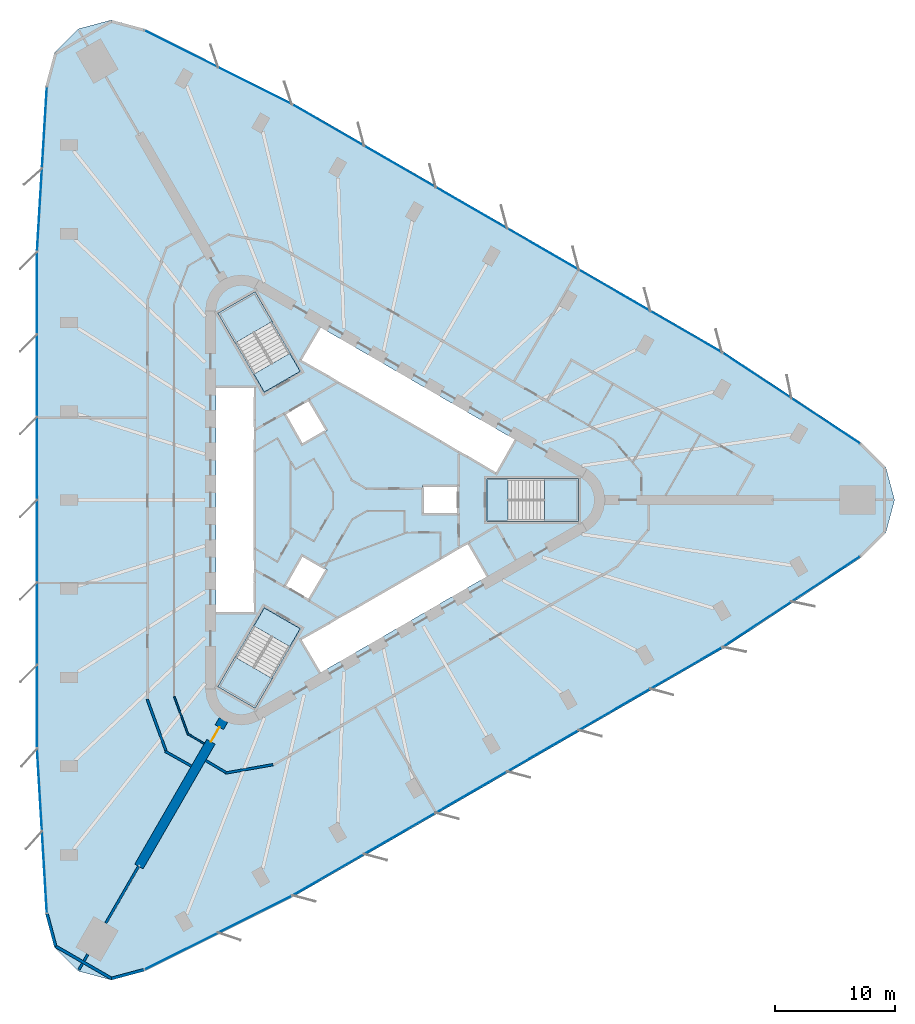
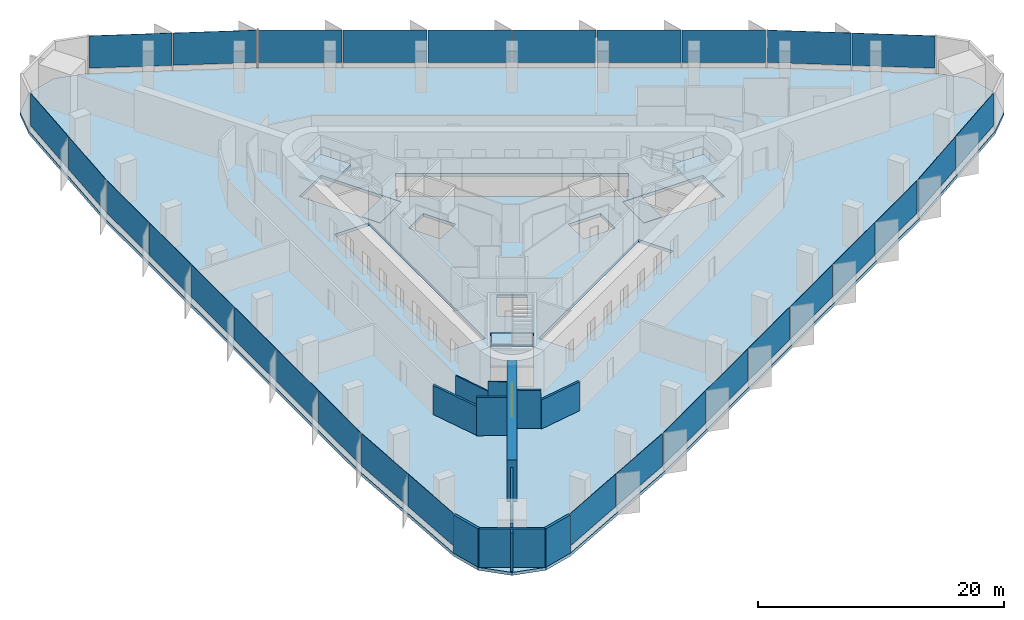
# One storey, part 8 of 14: 30 plates, 13 walls, 7 slabs, 1 door, 1 opening, 12 elements without a shape of their own.
"""IFC4 building model written with IfcOpenShell, lengths in metres."""

from ifc_helpers import new_model, si_unit, direction, frame, frame_2d, origin, origin_2d, place, context, subcontext, project, spatial, polyline, rectangle, outline, extrude, material, layer, layer_set, type_object, element, fill, aggregate, save


model = new_model("IFC4")

# Units and contexts
model_context = context("Model", 3, precision=1e-05, world=origin(), true_north=direction((0.0, 1.0)))
body_context = subcontext(model_context, "Body", "Model", "MODEL_VIEW")
ifc_project = project(units=[si_unit("LENGTHUNIT", "METRE"), si_unit("AREAUNIT", "SQUARE_METRE"), si_unit("VOLUMEUNIT", "CUBIC_METRE"), si_unit("PLANEANGLEUNIT", "RADIAN"), si_unit("MASSUNIT", "GRAM", prefix="KILO")], contexts=[model_context])

# Site, building, storey
site_placement = place(None, origin())
site = spatial("IfcSite", under=ifc_project, at=site_placement, CompositionType="ELEMENT")
building_placement = place(site_placement, origin())
building = spatial("IfcBuilding", under=site, at=building_placement, Name="Tanit Gate Tower", CompositionType="ELEMENT")
storey_placement = place(building_placement, frame((0.0, 0.0, 45.5)))
storey = spatial("IfcBuildingStorey", under=building, at=storey_placement, Name="L07", CompositionType="ELEMENT", Elevation=45.5)

# Slab
ifc_material_1 = material(Name="Concrete C35/45", Category="concrete")
ifc_layer_1 = layer(ifc_material_1, 0.300048828125)
ifc_layer_set_1 = layer_set([ifc_layer_1], Name="FLOOR SLAB 300 C35/45")
slab_type_1 = type_object("IfcSlabType", Name="FLOOR SLAB 300 C35/45", PredefinedType="FLOOR", material=ifc_layer_set_1)
slab_1_placement = place(storey_placement, frame((0.0, 0.0, -0.300048828125)))
element("IfcSlab", 1, at=slab_1_placement, inside=storey, type_object=slab_type_1, Name="FLOOR SLAB L07", PredefinedType="FLOOR", context=body_context, shape_type="SweptSolid", body=[
    extrude(outline(polyline([(42.5634765625, 4.75927734375), (44.574951171875, 2.747802734375), (45.311279296875, 0.0), (44.574951171875, -2.747802734375), (42.5634765625, -4.75927734375), (31.030517578125, -12.368896484375), (-4.80224609375, -33.06005859375), (-17.16015625, -39.24072265625), (-19.907958984375, -39.97705078125), (-22.655517578125, -39.24072265625), (-24.6669921875, -37.229248046875), (-25.4033203125, -34.4814453125), (-26.22705078125, -20.68896484375), (-26.229736328125, 20.68896484375), (-25.4033203125, 34.4814453125), (-24.6669921875, 37.229248046875), (-22.655517578125, 39.24072265625), (-19.907958984375, 39.97705078125), (-17.16015625, 39.24072265625), (-4.8037109375, 33.0576171875), (31.031982421875, 12.371337890625), (42.5634765625, 4.75927734375)]), holes=[polyline([(11.3701171875, 1.72998046875), (18.929931640625, 1.72998046875), (18.929931640625, -1.72998046875), (11.3701171875, -1.72998046875), (11.3701171875, 1.72998046875)]), polyline([(-4.208984375, 11.60986328125), (-2.583984375, 14.424560546875), (13.783935546875, 4.974609375), (12.158935546875, 2.159912109375), (-4.208984375, 11.60986328125)]), polyline([(-4.208984375, -11.60986328125), (9.82080078125, -3.510009765625), (11.44580078125, -6.324462890625), (-2.583984375, -14.424560546875), (-4.208984375, -11.60986328125)]), polyline([(9.0, 1.199951171875), (9.0, -1.199951171875), (6.0, -1.199951171875), (6.0, 1.199951171875), (9.0, 1.199951171875)]), polyline([(-5.539306640625, 7.194091796875), (-3.460693359375, 8.394287109375), (-1.960693359375, 5.796142578125), (-4.039306640625, 4.59619140625), (-5.539306640625, 7.194091796875)]), polyline([(-1.960693359375, -5.796142578125), (-3.460693359375, -8.394287109375), (-5.539306640625, -7.194091796875), (-4.039306640625, -4.59619140625), (-1.960693359375, -5.796142578125)]), polyline([(-10.963134765625, 15.52880859375), (-7.966796875, 17.2587890625), (-4.186767578125, 10.711669921875), (-7.18310546875, 8.981689453125), (-10.963134765625, 15.52880859375)]), polyline([(-4.186767578125, -10.711669921875), (-7.966796875, -17.2587890625), (-10.963134765625, -15.52880859375), (-7.18310546875, -8.981689453125), (-4.186767578125, -10.711669921875)]), polyline([(-11.199951171875, -9.449951171875), (-11.199951171875, 9.449951171875), (-7.949951171875, 9.449951171875), (-7.949951171875, -9.449951171875), (-11.199951171875, -9.449951171875)])]), origin(), (0.0, 0.0, 1.0), 0.300048828125),
])

# Curtain wall, plates
ifc_material_2 = material(Name="Aluminium bronze anodised and glass", Category="aluminium")
curtain_wall_type = type_object("IfcCurtainWallType", Name="Curtain wall typical low", PredefinedType="NOTDEFINED", material=ifc_material_2)
curtain_wall_1_placement = place(storey_placement, origin())
curtain_wall_1 = element("IfcCurtainWall", 2, at=curtain_wall_1_placement, inside=storey, type_object=curtain_wall_type, Name="Curtain wall L07 NE1", PredefinedType="NOTDEFINED")
ifc_material_3 = material(Name="Glass tinted", Category="glass")
ifc_layer_2 = layer(ifc_material_3, 0.031982421875)
ifc_layer_set_2 = layer_set([ifc_layer_2], Name="Glass panel 32 typical low")
plate_type = type_object("IfcPlateType", Name="Glass panel 32 typical low", PredefinedType="CURTAIN_PANEL", material=ifc_layer_set_2)
plate_1_placement = place(storey_placement, frame((39.591064453125, 6.57763671875, 0.60009765625), z_axis=(0.0, 0.0, 1.0), x_axis=(-0.834569178545, 0.550903155031, 0.0)))
plate_1 = element("IfcPlate", 3, at=plate_1_placement, type_object=plate_type, Name="Glass panel L07 NE1.1", PredefinedType="CURTAIN_PANEL", context=body_context, shape_type="SweptSolid", body=[
    extrude(rectangle(XDim=6.78076171875, YDim=0.031982421875, at=origin_2d()), origin(), (0.0, 0.0, 1.0), 3.199951171875),
])
plate_2_placement = place(storey_placement, frame((33.865234375, 10.357421875, 0.60009765625), z_axis=(0.0, 0.0, 1.0), x_axis=(-0.834569178545, 0.550903155031, 0.0)))
plate_2 = element("IfcPlate", 4, at=plate_2_placement, type_object=plate_type, Name="Glass panel L07 NE1.2", PredefinedType="CURTAIN_PANEL", context=body_context, shape_type="SweptSolid", body=[
    extrude(rectangle(XDim=6.78076171875, YDim=0.031982421875, at=origin_2d()), origin(), (0.0, 0.0, 1.0), 3.199951171875),
])
aggregate(curtain_wall_1, [plate_1, plate_2])

curtain_wall_2_placement = place(storey_placement, origin())
curtain_wall_2 = element("IfcCurtainWall", 5, at=curtain_wall_2_placement, inside=storey, type_object=curtain_wall_type, Name="Curtain wall L07 NE2", PredefinedType="NOTDEFINED")
plate_3_placement = place(storey_placement, frame((27.954345703125, 14.00927734375, 0.60009765625), z_axis=(0.0, 0.0, 1.0), x_axis=(-0.866060071089, 0.49993994966, 0.0)))
plate_3 = element("IfcPlate", 6, at=plate_3_placement, type_object=plate_type, Name="Glass panel L07 NE2.1", PredefinedType="CURTAIN_PANEL", context=body_context, shape_type="SweptSolid", body=[
    extrude(rectangle(XDim=6.8017578125, YDim=0.031982421875, at=origin_2d()), origin(), (0.0, 0.0, 1.0), 3.199951171875),
])
plate_4_placement = place(storey_placement, frame((21.994140625, 17.449951171875, 0.60009765625), z_axis=(0.0, 0.0, 1.0), x_axis=(-0.866060071089, 0.49993994966, 0.0)))
plate_4 = element("IfcPlate", 7, at=plate_4_placement, type_object=plate_type, Name="Glass panel L07 NE2.2", PredefinedType="CURTAIN_PANEL", context=body_context, shape_type="SweptSolid", body=[
    extrude(rectangle(XDim=6.8017578125, YDim=0.031982421875, at=origin_2d()), origin(), (0.0, 0.0, 1.0), 3.199951171875),
])
plate_5_placement = place(storey_placement, frame((16.0341796875, 20.890380859375, 0.60009765625), z_axis=(0.0, 0.0, 1.0), x_axis=(-0.866060071089, 0.49993994966, 0.0)))
plate_5 = element("IfcPlate", 8, at=plate_5_placement, type_object=plate_type, Name="Glass panel L07 NE2.3", PredefinedType="CURTAIN_PANEL", context=body_context, shape_type="SweptSolid", body=[
    extrude(rectangle(XDim=6.8017578125, YDim=0.031982421875, at=origin_2d()), origin(), (0.0, 0.0, 1.0), 3.199951171875),
])
plate_6_placement = place(storey_placement, frame((10.07421875, 24.330810546875, 0.60009765625), z_axis=(0.0, 0.0, 1.0), x_axis=(-0.866060071089, 0.49993994966, 0.0)))
plate_6 = element("IfcPlate", 9, at=plate_6_placement, type_object=plate_type, Name="Glass panel L07 NE2.4", PredefinedType="CURTAIN_PANEL", context=body_context, shape_type="SweptSolid", body=[
    extrude(rectangle(XDim=6.8017578125, YDim=0.031982421875, at=origin_2d()), origin(), (0.0, 0.0, 1.0), 3.199951171875),
])
plate_7_placement = place(storey_placement, frame((4.1142578125, 27.771240234375, 0.60009765625), z_axis=(0.0, 0.0, 1.0), x_axis=(-0.866060071089, 0.49993994966, 0.0)))
plate_7 = element("IfcPlate", 10, at=plate_7_placement, type_object=plate_type, Name="Glass panel L07 NE2.5", PredefinedType="CURTAIN_PANEL", context=body_context, shape_type="SweptSolid", body=[
    extrude(rectangle(XDim=6.8017578125, YDim=0.031982421875, at=origin_2d()), origin(), (0.0, 0.0, 1.0), 3.199951171875),
])
plate_8_placement = place(storey_placement, frame((-1.845703125, 31.211669921875, 0.60009765625), z_axis=(0.0, 0.0, 1.0), x_axis=(-0.866060071089, 0.49993994966, 0.0)))
plate_8 = element("IfcPlate", 11, at=plate_8_placement, type_object=plate_type, Name="Glass panel L07 NE2.6", PredefinedType="CURTAIN_PANEL", context=body_context, shape_type="SweptSolid", body=[
    extrude(rectangle(XDim=6.8017578125, YDim=0.031982421875, at=origin_2d()), origin(), (0.0, 0.0, 1.0), 3.199951171875),
])
aggregate(curtain_wall_2, [plate_3, plate_4, plate_5, plate_6, plate_7, plate_8])

curtain_wall_3_placement = place(storey_placement, origin())
curtain_wall_3 = element("IfcCurtainWall", 12, at=curtain_wall_3_placement, inside=storey, type_object=curtain_wall_type, Name="Curtain wall L07 NE3", PredefinedType="NOTDEFINED")
plate_9_placement = place(storey_placement, frame((-7.9638671875, 34.5048828125, 0.60009765625), z_axis=(0.0, 0.0, 1.0), x_axis=(-0.894287982019, 0.447491905196, 0.0)))
plate_9 = element("IfcPlate", 13, at=plate_9_placement, type_object=plate_type, Name="Glass panel L07 NE3.1", PredefinedType="CURTAIN_PANEL", context=body_context, shape_type="SweptSolid", body=[
    extrude(rectangle(XDim=6.78076171875, YDim=0.031982421875, at=origin_2d()), origin(), (0.0, 0.0, 1.0), 3.199951171875),
])
plate_10_placement = place(storey_placement, frame((-14.099365234375, 37.574951171875, 0.60009765625), z_axis=(0.0, 0.0, 1.0), x_axis=(-0.894287982019, 0.447491905196, 0.0)))
plate_10 = element("IfcPlate", 14, at=plate_10_placement, type_object=plate_type, Name="Glass panel L07 NE3.2", PredefinedType="CURTAIN_PANEL", context=body_context, shape_type="SweptSolid", body=[
    extrude(rectangle(XDim=6.78076171875, YDim=0.031982421875, at=origin_2d()), origin(), (0.0, 0.0, 1.0), 3.199951171875),
])
aggregate(curtain_wall_3, [plate_9, plate_10])

curtain_wall_4_placement = place(storey_placement, origin())
curtain_wall_4 = element("IfcCurtainWall", 15, at=curtain_wall_4_placement, inside=storey, type_object=curtain_wall_type, Name="Curtain wall L07 W1", PredefinedType="NOTDEFINED")
plate_11_placement = place(storey_placement, frame((-25.491943359375, 30.998046875, 0.60009765625), z_axis=(0.0, 0.0, 1.0), x_axis=(-0.059811538009, -0.998209687351, 0.0)))
plate_11 = element("IfcPlate", 16, at=plate_11_placement, type_object=plate_type, Name="Glass panel L07 W1.1", PredefinedType="CURTAIN_PANEL", context=body_context, shape_type="SweptSolid", body=[
    extrude(rectangle(XDim=6.78076171875, YDim=0.031982421875, at=origin_2d()), origin(), (0.0, 0.0, 1.0), 3.199951171875),
])
plate_12_placement = place(storey_placement, frame((-25.90234375, 24.1494140625, 0.60009765625), z_axis=(0.0, 0.0, 1.0), x_axis=(-0.059811538009, -0.998209687351, 0.0)))
plate_12 = element("IfcPlate", 17, at=plate_12_placement, type_object=plate_type, Name="Glass panel L07 W1.2", PredefinedType="CURTAIN_PANEL", context=body_context, shape_type="SweptSolid", body=[
    extrude(rectangle(XDim=6.78076171875, YDim=0.031982421875, at=origin_2d()), origin(), (0.0, 0.0, 1.0), 3.199951171875),
])
aggregate(curtain_wall_4, [plate_11, plate_12])

curtain_wall_5_placement = place(storey_placement, origin())
curtain_wall_5 = element("IfcCurtainWall", 18, at=curtain_wall_5_placement, inside=storey, type_object=curtain_wall_type, Name="Curtain wall L07 W2", PredefinedType="NOTDEFINED")
plate_13_placement = place(storey_placement, frame((-26.109619140625, 17.204345703125, 0.60009765625), z_axis=(0.0, 0.0, 1.0), x_axis=(6.9338772e-05, -0.999999997596, 0.0)))
plate_13 = element("IfcPlate", 19, at=plate_13_placement, type_object=plate_type, Name="Glass panel L07 W2.1", PredefinedType="CURTAIN_PANEL", context=body_context, shape_type="SweptSolid", body=[
    extrude(rectangle(XDim=6.8017578125, YDim=0.031982421875, at=origin_2d()), origin(), (0.0, 0.0, 1.0), 3.199951171875),
])
plate_14_placement = place(storey_placement, frame((-26.109130859375, 10.322509765625, 0.60009765625), z_axis=(0.0, 0.0, 1.0), x_axis=(6.9338772e-05, -0.999999997596, 0.0)))
plate_14 = element("IfcPlate", 20, at=plate_14_placement, type_object=plate_type, Name="Glass panel L07 W2.2", PredefinedType="CURTAIN_PANEL", context=body_context, shape_type="SweptSolid", body=[
    extrude(rectangle(XDim=6.8017578125, YDim=0.031982421875, at=origin_2d()), origin(), (0.0, 0.0, 1.0), 3.199951171875),
])
plate_15_placement = place(storey_placement, frame((-26.108642578125, 3.44091796875, 0.60009765625), z_axis=(0.0, 0.0, 1.0), x_axis=(6.9338772e-05, -0.999999997596, 0.0)))
plate_15 = element("IfcPlate", 21, at=plate_15_placement, type_object=plate_type, Name="Glass panel L07 W2.3", PredefinedType="CURTAIN_PANEL", context=body_context, shape_type="SweptSolid", body=[
    extrude(rectangle(XDim=6.8017578125, YDim=0.031982421875, at=origin_2d()), origin(), (0.0, 0.0, 1.0), 3.199951171875),
])
plate_16_placement = place(storey_placement, frame((-26.108154296875, -3.44091796875, 0.60009765625), z_axis=(0.0, 0.0, 1.0), x_axis=(6.9338772e-05, -0.999999997596, 0.0)))
plate_16 = element("IfcPlate", 22, at=plate_16_placement, type_object=plate_type, Name="Glass panel L07 W2.4", PredefinedType="CURTAIN_PANEL", context=body_context, shape_type="SweptSolid", body=[
    extrude(rectangle(XDim=6.8017578125, YDim=0.031982421875, at=origin_2d()), origin(), (0.0, 0.0, 1.0), 3.199951171875),
])
plate_17_placement = place(storey_placement, frame((-26.107666015625, -10.322509765625, 0.60009765625), z_axis=(0.0, 0.0, 1.0), x_axis=(6.9338772e-05, -0.999999997596, 0.0)))
plate_17 = element("IfcPlate", 23, at=plate_17_placement, type_object=plate_type, Name="Glass panel L07 W2.5", PredefinedType="CURTAIN_PANEL", context=body_context, shape_type="SweptSolid", body=[
    extrude(rectangle(XDim=6.8017578125, YDim=0.031982421875, at=origin_2d()), origin(), (0.0, 0.0, 1.0), 3.199951171875),
])
plate_18_placement = place(storey_placement, frame((-26.107177734375, -17.204345703125, 0.60009765625), z_axis=(0.0, 0.0, 1.0), x_axis=(6.9338772e-05, -0.999999997596, 0.0)))
plate_18 = element("IfcPlate", 24, at=plate_18_placement, type_object=plate_type, Name="Glass panel L07 W2.6", PredefinedType="CURTAIN_PANEL", context=body_context, shape_type="SweptSolid", body=[
    extrude(rectangle(XDim=6.8017578125, YDim=0.031982421875, at=origin_2d()), origin(), (0.0, 0.0, 1.0), 3.199951171875),
])
aggregate(curtain_wall_5, [plate_13, plate_14, plate_15, plate_16, plate_17, plate_18])

curtain_wall_6_placement = place(storey_placement, origin())
curtain_wall_6 = element("IfcCurtainWall", 25, at=curtain_wall_6_placement, inside=storey, type_object=curtain_wall_type, Name="Curtain wall L07 W3", PredefinedType="NOTDEFINED")
plate_19_placement = place(storey_placement, frame((-25.900146484375, -24.1494140625, 0.60009765625), z_axis=(0.0, 0.0, 1.0), x_axis=(0.059604633121, -0.998222063326, 0.0)))
plate_19 = element("IfcPlate", 26, at=plate_19_placement, type_object=plate_type, Name="Glass panel L07 W3.1", PredefinedType="CURTAIN_PANEL", context=body_context, shape_type="SweptSolid", body=[
    extrude(rectangle(XDim=6.78076171875, YDim=0.031982421875, at=origin_2d()), origin(), (0.0, 0.0, 1.0), 3.199951171875),
])
plate_20_placement = place(storey_placement, frame((-25.4912109375, -30.998046875, 0.60009765625), z_axis=(0.0, 0.0, 1.0), x_axis=(0.059604633121, -0.998222063326, 0.0)))
plate_20 = element("IfcPlate", 27, at=plate_20_placement, type_object=plate_type, Name="Glass panel L07 W3.2", PredefinedType="CURTAIN_PANEL", context=body_context, shape_type="SweptSolid", body=[
    extrude(rectangle(XDim=6.78076171875, YDim=0.031982421875, at=origin_2d()), origin(), (0.0, 0.0, 1.0), 3.199951171875),
])
aggregate(curtain_wall_6, [plate_19, plate_20])

curtain_wall_7_placement = place(storey_placement, origin())
curtain_wall_7 = element("IfcCurtainWall", 28, at=curtain_wall_7_placement, inside=storey, type_object=curtain_wall_type, Name="Curtain wall L07 SE1", PredefinedType="NOTDEFINED")
plate_21_placement = place(storey_placement, frame((-14.09912109375, -37.57568359375, 0.60009765625), z_axis=(0.0, 0.0, 1.0), x_axis=(0.894380716554, 0.44730653232, 0.0)))
plate_21 = element("IfcPlate", 29, at=plate_21_placement, type_object=plate_type, Name="Glass panel L07 SE1.1", PredefinedType="CURTAIN_PANEL", context=body_context, shape_type="SweptSolid", body=[
    extrude(rectangle(XDim=6.78076171875, YDim=0.031982421875, at=origin_2d()), origin(), (0.0, 0.0, 1.0), 3.199951171875),
])
plate_22_placement = place(storey_placement, frame((-7.962890625, -34.5068359375, 0.60009765625), z_axis=(0.0, 0.0, 1.0), x_axis=(0.894380716554, 0.44730653232, 0.0)))
plate_22 = element("IfcPlate", 30, at=plate_22_placement, type_object=plate_type, Name="Glass panel L07 SE1.2", PredefinedType="CURTAIN_PANEL", context=body_context, shape_type="SweptSolid", body=[
    extrude(rectangle(XDim=6.78076171875, YDim=0.031982421875, at=origin_2d()), origin(), (0.0, 0.0, 1.0), 3.199951171875),
])
aggregate(curtain_wall_7, [plate_21, plate_22])

curtain_wall_8_placement = place(storey_placement, origin())
curtain_wall_8 = element("IfcCurtainWall", 31, at=curtain_wall_8_placement, inside=storey, type_object=curtain_wall_type, Name="Curtain wall L07 SE2", PredefinedType="NOTDEFINED")
plate_23_placement = place(storey_placement, frame((-1.8447265625, -31.2138671875, 0.60009765625), z_axis=(0.0, 0.0, 1.0), x_axis=(0.865990732317, 0.500060047936, 0.0)))
plate_23 = element("IfcPlate", 32, at=plate_23_placement, type_object=plate_type, Name="Glass panel L07 SE2.1", PredefinedType="CURTAIN_PANEL", context=body_context, shape_type="SweptSolid", body=[
    extrude(rectangle(XDim=6.8017578125, YDim=0.031982421875, at=origin_2d()), origin(), (0.0, 0.0, 1.0), 3.199951171875),
])
plate_24_placement = place(storey_placement, frame((4.114990234375, -27.7724609375, 0.60009765625), z_axis=(0.0, 0.0, 1.0), x_axis=(0.865990732317, 0.500060047936, 0.0)))
plate_24 = element("IfcPlate", 33, at=plate_24_placement, type_object=plate_type, Name="Glass panel L07 SE2.2", PredefinedType="CURTAIN_PANEL", context=body_context, shape_type="SweptSolid", body=[
    extrude(rectangle(XDim=6.8017578125, YDim=0.031982421875, at=origin_2d()), origin(), (0.0, 0.0, 1.0), 3.199951171875),
])
plate_25_placement = place(storey_placement, frame((10.074462890625, -24.331298828125, 0.60009765625), z_axis=(0.0, 0.0, 1.0), x_axis=(0.865990732317, 0.500060047936, 0.0)))
plate_25 = element("IfcPlate", 34, at=plate_25_placement, type_object=plate_type, Name="Glass panel L07 SE2.3", PredefinedType="CURTAIN_PANEL", context=body_context, shape_type="SweptSolid", body=[
    extrude(rectangle(XDim=6.8017578125, YDim=0.031982421875, at=origin_2d()), origin(), (0.0, 0.0, 1.0), 3.199951171875),
])
plate_26_placement = place(storey_placement, frame((16.033935546875, -20.889892578125, 0.60009765625), z_axis=(0.0, 0.0, 1.0), x_axis=(0.865990732317, 0.500060047936, 0.0)))
plate_26 = element("IfcPlate", 35, at=plate_26_placement, type_object=plate_type, Name="Glass panel L07 SE2.4", PredefinedType="CURTAIN_PANEL", context=body_context, shape_type="SweptSolid", body=[
    extrude(rectangle(XDim=6.8017578125, YDim=0.031982421875, at=origin_2d()), origin(), (0.0, 0.0, 1.0), 3.199951171875),
])
plate_27_placement = place(storey_placement, frame((21.993408203125, -17.44873046875, 0.60009765625), z_axis=(0.0, 0.0, 1.0), x_axis=(0.865990732317, 0.500060047936, 0.0)))
plate_27 = element("IfcPlate", 36, at=plate_27_placement, type_object=plate_type, Name="Glass panel L07 SE2.5", PredefinedType="CURTAIN_PANEL", context=body_context, shape_type="SweptSolid", body=[
    extrude(rectangle(XDim=6.8017578125, YDim=0.031982421875, at=origin_2d()), origin(), (0.0, 0.0, 1.0), 3.199951171875),
])
plate_28_placement = place(storey_placement, frame((27.953125, -14.00732421875, 0.60009765625), z_axis=(0.0, 0.0, 1.0), x_axis=(0.865990732317, 0.500060047936, 0.0)))
plate_28 = element("IfcPlate", 37, at=plate_28_placement, type_object=plate_type, Name="Glass panel L07 SE2.6", PredefinedType="CURTAIN_PANEL", context=body_context, shape_type="SweptSolid", body=[
    extrude(rectangle(XDim=6.8017578125, YDim=0.031982421875, at=origin_2d()), origin(), (0.0, 0.0, 1.0), 3.199951171875),
])
aggregate(curtain_wall_8, [plate_23, plate_24, plate_25, plate_26, plate_27, plate_28])

curtain_wall_9_placement = place(storey_placement, origin())
curtain_wall_9 = element("IfcCurtainWall", 38, at=curtain_wall_9_placement, inside=storey, type_object=curtain_wall_type, Name="Curtain wall L07 SE3", PredefinedType="NOTDEFINED")
plate_29_placement = place(storey_placement, frame((33.864013671875, -10.35546875, 0.60009765625), z_axis=(0.0, 0.0, 1.0), x_axis=(0.834683348898, 0.550730158129, 0.0)))
plate_29 = element("IfcPlate", 39, at=plate_29_placement, type_object=plate_type, Name="Glass panel L07 SE3.1", PredefinedType="CURTAIN_PANEL", context=body_context, shape_type="SweptSolid", body=[
    extrude(rectangle(XDim=6.78076171875, YDim=0.031982421875, at=origin_2d()), origin(), (0.0, 0.0, 1.0), 3.199951171875),
])
plate_30_placement = place(storey_placement, frame((39.590576171875, -6.5771484375, 0.60009765625), z_axis=(0.0, 0.0, 1.0), x_axis=(0.834683348898, 0.550730158129, 0.0)))
plate_30 = element("IfcPlate", 40, at=plate_30_placement, type_object=plate_type, Name="Glass panel L07 SE3.2", PredefinedType="CURTAIN_PANEL", context=body_context, shape_type="SweptSolid", body=[
    extrude(rectangle(XDim=6.78076171875, YDim=0.031982421875, at=origin_2d()), origin(), (0.0, 0.0, 1.0), 3.199951171875),
])
aggregate(curtain_wall_9, [plate_29, plate_30])

# Stair, slab
ifc_material_4 = material(Name="Concrete C40/50", Category="concrete")
stair_type = type_object("IfcStairType", Name="INT-STAIR-EXIT", PredefinedType="HALF_TURN_STAIR", material=ifc_material_4)
stair_1_placement = place(storey_placement, origin())
stair_1 = element("IfcStair", 41, at=stair_1_placement, inside=storey, type_object=stair_type, Name="L07 STAIR S1", PredefinedType="HALF_TURN_STAIR")
ifc_material_5 = material(Name="Concrete C40/50", Category="concrete")
ifc_layer_3 = layer(ifc_material_5, 0.199951171875)
ifc_layer_set_3 = layer_set([ifc_layer_3], Name="INT-STAIR-LANDING")
slab_type_2 = type_object("IfcSlabType", Name="INT-STAIR-LANDING", PredefinedType="LANDING", material=ifc_layer_set_3)
slab_2_placement = place(storey_placement, frame((0.0, 0.0, 1.85009765625)))
slab_2 = element("IfcSlab", 42, at=slab_2_placement, type_object=slab_type_2, Name="S1 landing 1", PredefinedType="LANDING", context=body_context, shape_type="SweptSolid", body=[
    extrude(outline(polyline([(16.135986328125, -1.800048828125), (19.0, -1.800048828125), (19.0, 1.800048828125), (16.135986328125, 1.800048828125), (16.135986328125, -1.800048828125)])), origin(), (0.0, 0.0, 1.0), 0.199951171875),
])
aggregate(stair_1, [slab_2])

# Slab
slab_3_placement = place(storey_placement, frame((0.0, 0.0, -0.199951171875)))
element("IfcSlab", 43, at=slab_3_placement, inside=storey, type_object=slab_type_2, Name="S1 floor landing", PredefinedType="LANDING", context=body_context, shape_type="SweptSolid", body=[
    extrude(outline(polyline([(11.3798828125, -1.719970703125), (13.10498046875, -1.719970703125), (13.10498046875, 1.719970703125), (11.3798828125, 1.719970703125), (11.3798828125, -1.719970703125)])), origin(), (0.0, 0.0, 1.0), 0.199951171875),
])

# Stair, slab
stair_2_placement = place(storey_placement, origin())
stair_2 = element("IfcStair", 44, at=stair_2_placement, inside=storey, type_object=stair_type, Name="L07 STAIR S2", PredefinedType="HALF_TURN_STAIR")
slab_4_placement = place(storey_placement, frame((0.0, 0.0, 1.85009765625)))
slab_4 = element("IfcSlab", 45, at=slab_4_placement, type_object=slab_type_2, Name="S2 landing 1", PredefinedType="LANDING", context=body_context, shape_type="SweptSolid", body=[
    extrude(outline(polyline([(-6.5078125, 14.871826171875), (-7.941162109375, 17.3544921875), (-11.058837890625, 15.554443359375), (-9.62548828125, 13.07177734375), (-6.5078125, 14.871826171875)])), origin(), (0.0, 0.0, 1.0), 0.199951171875),
])
aggregate(stair_2, [slab_4])

# Slab
slab_5_placement = place(storey_placement, frame((0.0, 0.0, -0.199951171875)))
element("IfcSlab", 46, at=slab_5_placement, inside=storey, type_object=slab_type_2, Name="S2 floor landing", PredefinedType="LANDING", context=body_context, shape_type="SweptSolid", body=[
    extrude(outline(polyline([(-4.200439453125, 10.71533203125), (-5.0625, 12.20849609375), (-8.04150390625, 10.48828125), (-7.179443359375, 8.995361328125), (-4.200439453125, 10.71533203125)])), origin(), (0.0, 0.0, 1.0), 0.199951171875),
])

# Stair, slab
stair_3_placement = place(storey_placement, origin())
stair_3 = element("IfcStair", 47, at=stair_3_placement, inside=storey, type_object=stair_type, Name="L07 STAIR S3", PredefinedType="HALF_TURN_STAIR")
slab_6_placement = place(storey_placement, frame((0.0, 0.0, 1.85009765625)))
slab_6 = element("IfcSlab", 48, at=slab_6_placement, type_object=slab_type_2, Name="S3 landing 1", PredefinedType="LANDING", context=body_context, shape_type="SweptSolid", body=[
    extrude(outline(polyline([(-9.626953125, -13.07421875), (-11.058837890625, -15.554443359375), (-7.941162109375, -17.3544921875), (-6.509033203125, -14.874267578125), (-9.626953125, -13.07421875)])), origin(), (0.0, 0.0, 1.0), 0.199951171875),
])
aggregate(stair_3, [slab_6])

# Slab
slab_7_placement = place(storey_placement, frame((0.0, 0.0, -0.199951171875)))
element("IfcSlab", 49, at=slab_7_placement, inside=storey, type_object=slab_type_2, Name="S3 floor landing", PredefinedType="LANDING", context=body_context, shape_type="SweptSolid", body=[
    extrude(outline(polyline([(-7.179443359375, -8.995361328125), (-8.0419921875, -10.4892578125), (-5.06298828125, -12.209228515625), (-4.200439453125, -10.71533203125), (-7.179443359375, -8.995361328125)])), origin(), (0.0, 0.0, 1.0), 0.199951171875),
])

# Wall, opening, door
ifc_material_6 = material(Name="Concrete C60/75", Category="concrete")
ifc_layer_4 = layer(ifc_material_6, 0.800048828125)
ifc_layer_set_4 = layer_set([ifc_layer_4], Name="BUTTRESS FIN 800 C60/75")
wall_type_1 = type_object("IfcWallType", Name="BUTTRESS FIN 800 C60/75", PredefinedType="SHEAR", material=ifc_layer_set_4)
wall_1_placement = place(storey_placement, frame((-10.574951171875, -18.31640625, 0.0), z_axis=(0.0, 0.0, 1.0), x_axis=(-0.499996272984, -0.866027555568, 0.0)))
wall_1 = element("IfcWall", 50, at=wall_1_placement, inside=storey, type_object=wall_type_1, Name="BUTTRESS FIN", PredefinedType="SHEAR", context=body_context, shape_type="SweptSolid", body=[
    extrude(rectangle(XDim=14.09814453125, YDim=0.800048828125, at=frame_2d((7.049072265625, 0.0))), origin(), (0.0, 0.0, 1.0), 4.10009765625),
])
opening_placement = place(wall_1_placement, frame((0.699951171875, 0.0, 0.0)))
opening = element("IfcOpeningElement", 51, at=opening_placement, cuts=wall_1, Name="Opening P14-S00-F-SW-1", PredefinedType="OPENING", context=body_context, shape_type="SweptSolid", body=[
    extrude(rectangle(XDim=1.39990234375, YDim=2.39990234375, at=frame_2d((0.699951171875, 1.199951171875))), frame((0.0, 0.41015625, 0.0), z_axis=(0.0, -1.0, 0.0), x_axis=(1.0, 0.0, 0.0)), (0.0, 0.0, 1.0), 0.820068359375),
])
ifc_material_7 = material(Name="Timber door leaf", Category="wood")
door_type = type_object("IfcDoorType", Name="INT-DOOR-FIN-PAIR-1400", OperationType="NOTDEFINED", PredefinedType="NOTDEFINED", material=ifc_material_7)
door_placement = place(opening_placement, origin())
door = element("IfcDoor", 52, at=door_placement, inside=storey, type_object=door_type, Name="Door P14-S00-F-SW-1", OperationType="DOUBLE_DOOR_SINGLE_SWING", OverallHeight=2.39990234375, OverallWidth=1.39990234375, PredefinedType="NOTDEFINED", context=body_context, shape_type="SweptSolid", body=[
    extrude(rectangle(XDim=1.39990234375, YDim=2.39990234375, at=frame_2d((0.699951171875, 1.199951171875))), frame((0.0, 0.02490234375, 0.0), z_axis=(0.0, -1.0, 0.0), x_axis=(1.0, 0.0, 0.0)), (0.0, 0.0, 1.0), 0.050048828125),
])
fill(opening, door)

# Walls
ifc_material_8 = material(Name="Concrete C30/37 with bronze anodised aluminium cladding", Category="concrete")
ifc_layer_5 = layer(ifc_material_8, 0.239990234375)
ifc_layer_set_5 = layer_set([ifc_layer_5], Name="Facade wall bronze clad 240")
wall_type_2 = type_object("IfcWallType", Name="Facade wall bronze clad 240", PredefinedType="SOLIDWALL", material=ifc_layer_set_5)
wall_2_placement = place(storey_placement, frame((-25.284423828125, -34.462158203125, 0.0), z_axis=(0.0, 0.0, 1.0), x_axis=(0.258850842196, -0.965917305723, 0.0)))
element("IfcWall", 53, at=wall_2_placement, inside=storey, type_object=wall_type_2, Name="Bronze-clad facade wall L07 SW.arc1", PredefinedType="SOLIDWALL", context=body_context, shape_type="SweptSolid", body=[
    extrude(rectangle(XDim=2.80029296875, YDim=0.239990234375, at=frame_2d((1.400146484375, 0.0))), origin(), (0.0, 0.0, 1.0), 3.800048828125),
])
wall_3_placement = place(storey_placement, frame((-24.5595703125, -37.1669921875, 0.0), z_axis=(0.0, 0.0, 1.0), x_axis=(0.866010734295, -0.500025407441, 0.0)))
element("IfcWall", 54, at=wall_3_placement, inside=storey, type_object=wall_type_2, Name="Bronze-clad facade wall L07 SW.arc2", PredefinedType="SOLIDWALL", context=body_context, shape_type="SweptSolid", body=[
    extrude(rectangle(XDim=5.371337890625, YDim=0.239990234375, at=frame_2d((2.685546875, 0.0))), origin(), (0.0, 0.0, 1.0), 3.800048828125),
])
wall_4_placement = place(storey_placement, frame((-19.907958984375, -39.852783203125, 0.0), z_axis=(0.0, 0.0, 1.0), x_axis=(0.965923146675, 0.25882904535, 0.0)))
element("IfcWall", 55, at=wall_4_placement, inside=storey, type_object=wall_type_2, Name="Bronze-clad facade wall L07 SW.arc3", PredefinedType="SOLIDWALL", context=body_context, shape_type="SweptSolid", body=[
    extrude(rectangle(XDim=2.800537109375, YDim=0.239990234375, at=frame_2d((1.400390625, 0.0))), origin(), (0.0, 0.0, 1.0), 3.800048828125),
])
ifc_material_9 = material(Name="Fire-rated gypsum board partition")
ifc_layer_6 = layer(ifc_material_9, 0.199951171875)
ifc_layer_set_6 = layer_set([ifc_layer_6], Name="INT-WALL-COMPARTMENT")
wall_type_3 = type_object("IfcWallType", Name="INT-WALL-COMPARTMENT", PredefinedType="PARTITIONING", material=ifc_layer_set_6)
wall_5_placement = place(storey_placement, frame((-15.434814453125, -20.934814453125, 0.0), z_axis=(0.0, 0.0, 1.0), x_axis=(0.871392892797, -0.490585799206, 0.0)))
element("IfcWall", 56, at=wall_5_placement, inside=storey, type_object=wall_type_3, Name="Wall Compartment W093", PredefinedType="PARTITIONING", context=body_context, shape_type="SweptSolid", body=[
    extrude(rectangle(XDim=2.499755859375, YDim=0.199951171875, at=frame_2d((1.25, 0.0))), origin(), (0.0, 0.0, 1.0), 3.800048828125),
])
wall_6_placement = place(storey_placement, frame((-16.93408203125, -16.593505859375, 0.0), z_axis=(0.0, 0.0, 1.0), x_axis=(0.342009657388, -0.939696437289, 0.0)))
element("IfcWall", 57, at=wall_6_placement, inside=storey, type_object=wall_type_3, Name="Wall Compartment W094", PredefinedType="PARTITIONING", context=body_context, shape_type="SweptSolid", body=[
    extrude(rectangle(XDim=4.632080078125, YDim=0.199951171875, at=frame_2d((2.31591796875, 0.0))), origin(), (0.0, 0.0, 1.0), 2.8798828125),
])
wall_7_placement = place(storey_placement, frame((-10.442626953125, -22.7470703125, 0.0), z_axis=(0.0, 0.0, 1.0), x_axis=(0.984812020794, 0.173623972133, 0.0)))
element("IfcWall", 58, at=wall_7_placement, inside=storey, type_object=wall_type_3, Name="Wall Compartment W113", PredefinedType="PARTITIONING", context=body_context, shape_type="SweptSolid", body=[
    extrude(rectangle(XDim=4.056640625, YDim=0.199951171875, at=frame_2d((2.0283203125, 0.0))), origin(), (0.0, 0.0, 1.0), 2.8798828125),
])
wall_8_placement = place(storey_placement, frame((-12.064208984375, -21.69580078125, 0.0), z_axis=(0.0, 0.0, 1.0), x_axis=(0.859769731383, -0.510681905885, 0.0)))
element("IfcWall", 59, at=wall_8_placement, inside=storey, type_object=wall_type_3, Name="Wall Compartment W114", PredefinedType="PARTITIONING", context=body_context, shape_type="SweptSolid", body=[
    extrude(rectangle(XDim=1.97021484375, YDim=0.199951171875, at=frame_2d((0.985107421875, 0.0))), origin(), (0.0, 0.0, 1.0), 3.800048828125),
])
wall_9_placement = place(storey_placement, frame((-17.650146484375, -30.5107421875, 0.0), z_axis=(0.0, 0.0, 1.0), x_axis=(-0.499984217882, -0.866034515403, 0.0)))
element("IfcWall", 60, at=wall_9_placement, inside=storey, type_object=wall_type_3, Name="Wall Compartment W117", PredefinedType="PARTITIONING", context=body_context, shape_type="SweptSolid", body=[
    extrude(rectangle(XDim=5.463134765625, YDim=0.199951171875, at=frame_2d((2.7314453125, 0.0))), origin(), (0.0, 0.0, 1.0), 3.3701171875),
])
wall_10_placement = place(storey_placement, frame((-21.881591796875, -37.840087890625, 0.0), z_axis=(0.0, 0.0, 1.0), x_axis=(-0.499977104415, -0.866038622153, 0.0)))
element("IfcWall", 61, at=wall_10_placement, inside=storey, type_object=wall_type_3, Name="Wall Compartment W116", PredefinedType="PARTITIONING", context=body_context, shape_type="SweptSolid", body=[
    extrude(rectangle(XDim=0.63623046875, YDim=0.199951171875, at=frame_2d((0.318115234375, 0.0))), origin(), (0.0, 0.0, 1.0), 3.800048828125),
])
wall_11_placement = place(storey_placement, frame((-22.319580078125, -38.598876953125, 0.0), z_axis=(0.0, 0.0, 1.0), x_axis=(-0.500222587251, -0.865896854829, 0.0)))
element("IfcWall", 62, at=wall_11_placement, inside=storey, type_object=wall_type_3, Name="Wall Compartment W116x1", PredefinedType="PARTITIONING", context=body_context, shape_type="SweptSolid", body=[
    extrude(rectangle(XDim=0.591552734375, YDim=0.199951171875, at=frame_2d((0.2958984375, 0.0))), origin(), (0.0, 0.0, 1.0), 3.800048828125),
])
ifc_material_10 = material(Name="Gypsum board partition")
ifc_layer_7 = layer(ifc_material_10, 0.1201171875)
ifc_layer_set_7 = layer_set([ifc_layer_7], Name="INT-WALL-PARTITION")
wall_type_4 = type_object("IfcWallType", Name="INT-WALL-PARTITION", PredefinedType="PARTITIONING", material=ifc_layer_set_7)
wall_12_placement = place(storey_placement, frame((-14.679443359375, -16.35595703125, 0.0), z_axis=(0.0, 0.0, 1.0), x_axis=(0.342002052592, -0.939699205077, 0.0)))
element("IfcWall", 63, at=wall_12_placement, inside=storey, type_object=wall_type_4, Name="Wall Partition W091", PredefinedType="PARTITIONING", context=body_context, shape_type="SweptSolid", body=[
    extrude(rectangle(XDim=3.40576171875, YDim=0.1201171875, at=frame_2d((1.702880859375, 0.0))), origin(), (0.0, 0.0, 1.0), 2.8798828125),
])
wall_13_placement = place(storey_placement, frame((-13.51611328125, -19.501220703125, 0.0), z_axis=(0.0, 0.0, 1.0), x_axis=(0.858336816023, -0.513086649856, 0.0)))
element("IfcWall", 64, at=wall_13_placement, inside=storey, type_object=wall_type_4, Name="Wall Partition W092", PredefinedType="PARTITIONING", context=body_context, shape_type="SweptSolid", body=[
    extrude(rectangle(XDim=1.554931640625, YDim=0.1201171875, at=frame_2d((0.77734375, 0.0))), origin(), (0.0, 0.0, 1.0), 3.800048828125),
])

save(model, "model.ifc")
